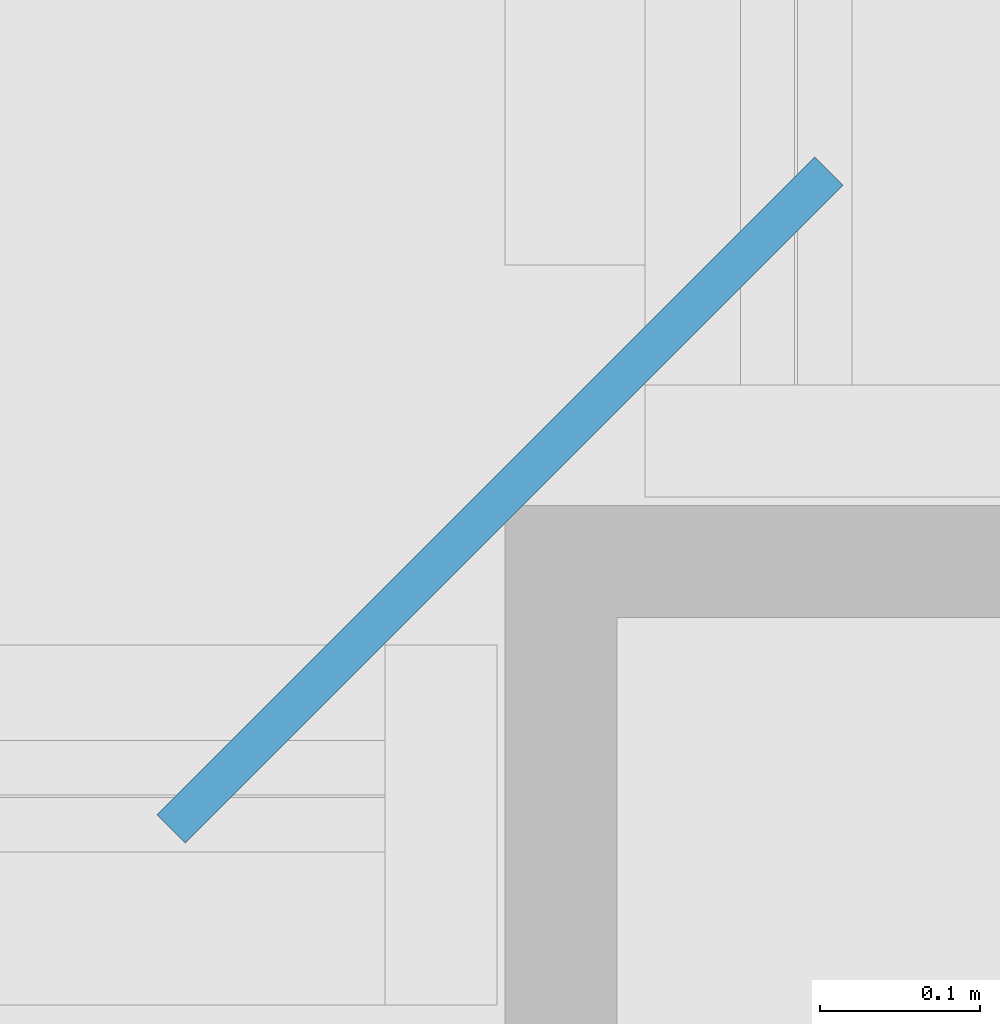
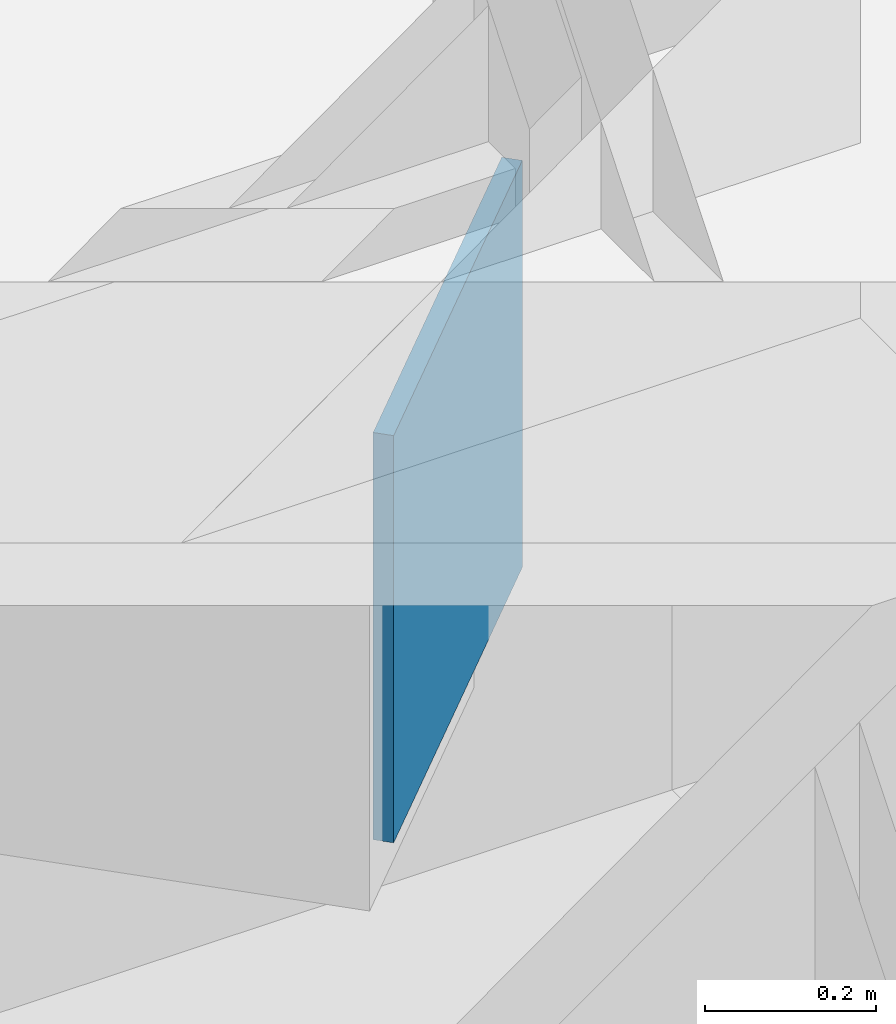
# One storey, part 16 of 26: 1 plate.
"""IFC4 building model written with IfcOpenShell, lengths in metres."""

from ifc_helpers import new_model, si_unit, direction, frame, origin, origin_2d, place, context, subcontext, project, spatial, rectangle, extrude, material, layer, layer_set, type_object, element, save


model = new_model("IFC4")

# Units and contexts
model_context = context("Model", 3, precision=1e-05, world=origin(), true_north=direction((0.0, 1.0)))
body_context = subcontext(model_context, "Body", "Model", "MODEL_VIEW")
ifc_project = project(units=[si_unit("LENGTHUNIT", "METRE"), si_unit("AREAUNIT", "SQUARE_METRE"), si_unit("VOLUMEUNIT", "CUBIC_METRE"), si_unit("PLANEANGLEUNIT", "RADIAN"), si_unit("MASSUNIT", "GRAM", prefix="KILO")], contexts=[model_context])

# Site, building, storey
site_placement = place(None, origin())
site = spatial("IfcSite", under=ifc_project, at=site_placement, CompositionType="ELEMENT")
building_placement = place(site_placement, origin())
building = spatial("IfcBuilding", under=site, at=building_placement, Name="Kopane Lantern Tower", CompositionType="ELEMENT")
storey_placement = place(building_placement, frame((0.0, 0.0, 98.0)))
storey = spatial("IfcBuildingStorey", under=building, at=storey_placement, Name="L24", CompositionType="ELEMENT", Elevation=98.0)

# Plate
ifc_material = material(Name="Steel S355JR", Category="steel")
ifc_layer = layer(ifc_material, 0.02490234375)
ifc_layer_set = layer_set([ifc_layer], Name="STEEL END CAP PLATE PL25")
plate_type = type_object("IfcPlateType", Name="STEEL END CAP PLATE PL25", PredefinedType="USERDEFINED", material=ifc_layer_set)
plate_placement = place(storey_placement, frame((52.296875, 9.80322265625, -0.890625), z_axis=(0.0, 0.0, 1.0), x_axis=(0.707106781187, -0.707106781187, 0.0)))
element("IfcPlate", 1, at=plate_placement, inside=storey, type_object=plate_type, Name="Corner tie beam end cap plate L24", ObjectType="PLATE", PredefinedType="USERDEFINED", context=body_context, shape_type="SweptSolid", body=[
    extrude(rectangle(XDim=0.02490234375, YDim=0.5810546875, at=origin_2d()), origin(), (0.0, 0.0, 1.0), 0.5810546875),
])

save(model, "model.ifc")
